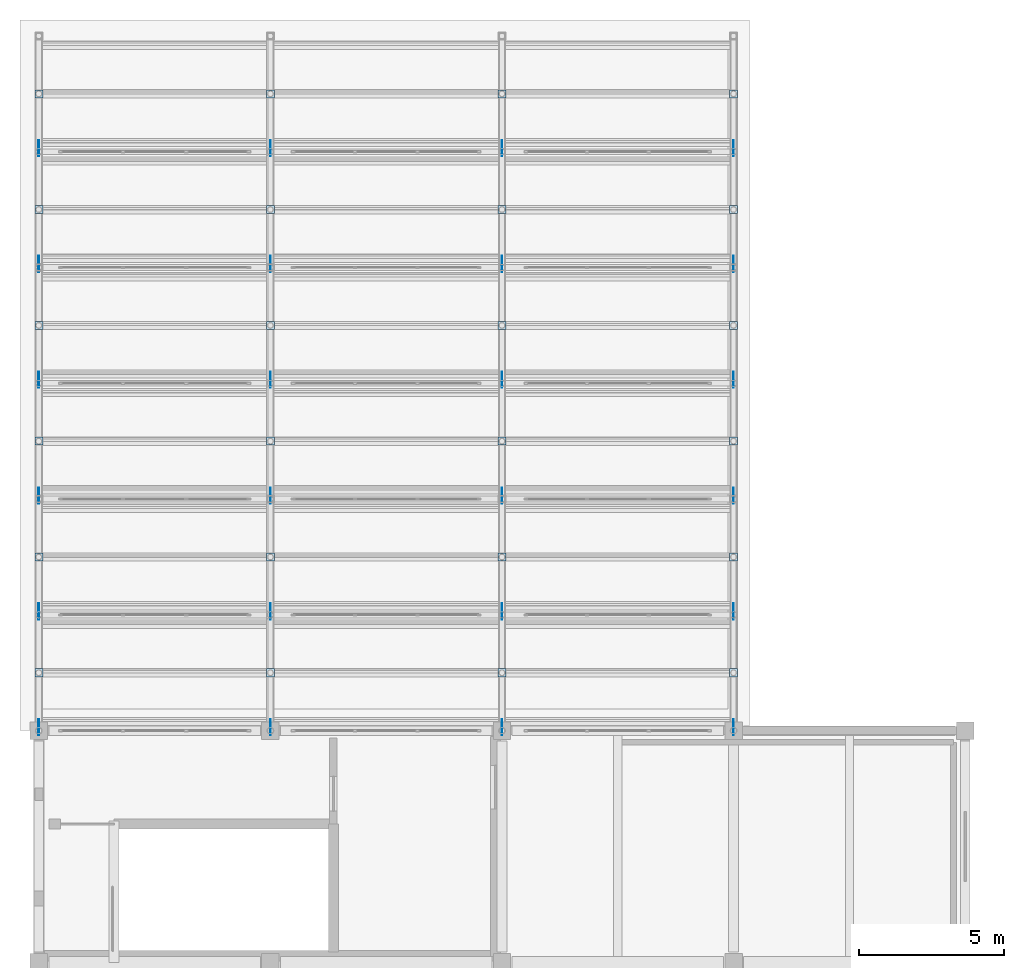
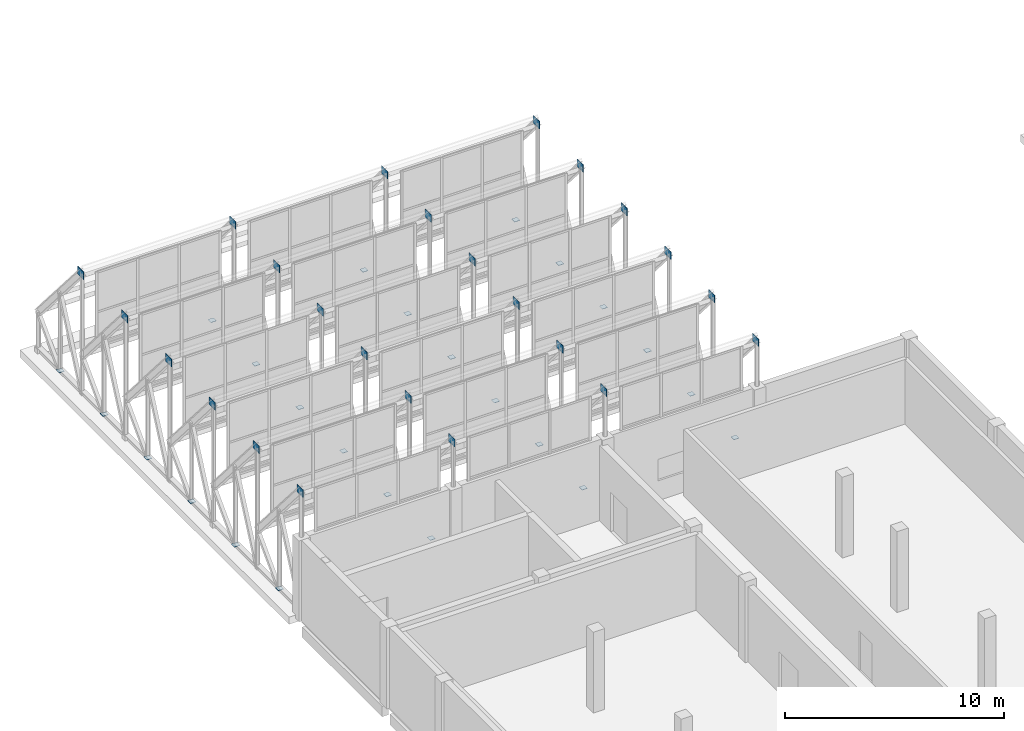
# One storey, part 34 of 43: 48 plates.
"""IFC4 building model written with IfcOpenShell, lengths in metres."""

from ifc_helpers import new_model, si_unit, direction, frame, origin, origin_2d, place, context, subcontext, project, spatial, rectangle, extrude, material, layer, layer_set, type_object, element, save


model = new_model("IFC4")

# Units and contexts
model_context = context("Model", 3, precision=1e-05, world=origin(), true_north=direction((0.0, 1.0)))
body_context = subcontext(model_context, "Body", "Model", "MODEL_VIEW")
ifc_project = project(units=[si_unit("LENGTHUNIT", "METRE"), si_unit("AREAUNIT", "SQUARE_METRE"), si_unit("VOLUMEUNIT", "CUBIC_METRE"), si_unit("PLANEANGLEUNIT", "RADIAN"), si_unit("MASSUNIT", "GRAM", prefix="KILO")], contexts=[model_context])

# Site, building, storey
site_placement = place(None, origin())
site = spatial("IfcSite", under=ifc_project, at=site_placement, CompositionType="ELEMENT")
building_placement = place(site_placement, origin())
building = spatial("IfcBuilding", under=site, at=building_placement, Name="Qorikala Patio Media Centre", CompositionType="ELEMENT")
storey_placement = place(building_placement, frame((0.0, 0.0, 18.89990234375)))
storey = spatial("IfcBuildingStorey", under=building, at=storey_placement, Name="L04", CompositionType="ELEMENT", Elevation=18.89990234375)

# Plates
ifc_material_1 = material(Name="Steel S355", Category="steel")
ifc_layer_1 = layer(ifc_material_1, 0.02392578125)
ifc_layer_set_1 = layer_set([ifc_layer_1], Name="Steel S355")
plate_type_1 = type_object("IfcPlateType", Name="PL-ND-01", PredefinedType="USERDEFINED", material=ifc_layer_set_1)
for number, where, z_axis, x_axis, name in (
    (1, (3.0, 84.1201171875, 6.740234375), (0.0, 0.0, 1.0), (1.0, 0.0, 0.0), "SAW-V4 Node Gusset Plate ND-01"),
    (2, (11.0, 76.1201171875, 6.740234375), (0.0, 0.0, 1.0), (1.0, 0.0, 0.0), "SAW-V4 Node Gusset Plate ND-01"),
    (3, (11.0, 92.1201171875, 6.740234375), (0.0, 0.0, 1.0), (1.0, 0.0, 0.0), "SAW-V4 Node Gusset Plate ND-01"),
    (4, (19.0, 84.1201171875, 6.740234375), (0.0, 0.0, 1.0), (1.0, 0.0, 0.0), "SAW-V4 Node Gusset Plate ND-01"),
    (5, (27.0, 76.1201171875, 6.740234375), (0.0, 0.0, 1.0), (1.0, 0.0, 0.0), "SAW-V4 Node Gusset Plate ND-01"),
    (6, (27.0, 92.1201171875, 6.740234375), (0.0, 0.0, 1.0), (1.0, 0.0, 0.0), "SAW-V4 Node Gusset Plate ND-01"),
):
    element("IfcPlate", number, at=place(storey_placement, frame(where, z_axis=z_axis, x_axis=x_axis)), inside=storey, type_object=plate_type_1, Name=name, ObjectType="GUSSET PLATE", PredefinedType="USERDEFINED", context=body_context, shape_type="SweptSolid", body=[
        extrude(rectangle(XDim=0.02392578125, YDim=0.56005859375, at=origin_2d()), origin(), (0.0, 0.0, 1.0), 0.419921875),
    ])
ifc_layer_2 = layer(ifc_material_1, 0.02392578125)
ifc_layer_set_2 = layer_set([ifc_layer_2], Name="Steel S355")
plate_type_2 = type_object("IfcPlateType", Name="PL-ND-02", PredefinedType="USERDEFINED", material=ifc_layer_set_2)
for number, where, z_axis, x_axis, name in (
    (7, (3.0, 72.1201171875, 6.740234375), (0.0, 0.0, 1.0), (1.0, 0.0, 0.0), "SAW-V4 Node Gusset Plate ND-02"),
    (8, (3.0, 88.1201171875, 6.740234375), (0.0, 0.0, 1.0), (1.0, 0.0, 0.0), "SAW-V4 Node Gusset Plate ND-02"),
    (9, (11.0, 80.1201171875, 6.740234375), (0.0, 0.0, 1.0), (1.0, 0.0, 0.0), "SAW-V4 Node Gusset Plate ND-02"),
    (10, (19.0, 72.1201171875, 6.740234375), (0.0, 0.0, 1.0), (1.0, 0.0, 0.0), "SAW-V4 Node Gusset Plate ND-02"),
    (11, (19.0, 88.1201171875, 6.740234375), (0.0, 0.0, 1.0), (1.0, 0.0, 0.0), "SAW-V4 Node Gusset Plate ND-02"),
    (12, (27.0, 80.1201171875, 6.740234375), (0.0, 0.0, 1.0), (1.0, 0.0, 0.0), "SAW-V4 Node Gusset Plate ND-02"),
):
    element("IfcPlate", number, at=place(storey_placement, frame(where, z_axis=z_axis, x_axis=x_axis)), inside=storey, type_object=plate_type_2, Name=name, ObjectType="GUSSET PLATE", PredefinedType="USERDEFINED", context=body_context, shape_type="SweptSolid", body=[
        extrude(rectangle(XDim=0.02392578125, YDim=0.56005859375, at=origin_2d()), origin(), (0.0, 0.0, 1.0), 0.419921875),
    ])
ifc_layer_3 = layer(ifc_material_1, 0.02001953125)
ifc_layer_set_3 = layer_set([ifc_layer_3], Name="Steel S355")
plate_type_3 = type_object("IfcPlateType", Name="PL-ND-03", PredefinedType="USERDEFINED", material=ifc_layer_set_3)
for number, where, z_axis, x_axis, name in (
    (13, (3.0, 76.1201171875, 6.740234375), (0.0, 0.0, 1.0), (1.0, 0.0, 0.0), "SAW-V4 Node Gusset Plate ND-03"),
    (14, (3.0, 92.1201171875, 6.740234375), (0.0, 0.0, 1.0), (1.0, 0.0, 0.0), "SAW-V4 Node Gusset Plate ND-03"),
    (15, (11.0, 84.1201171875, 6.740234375), (0.0, 0.0, 1.0), (1.0, 0.0, 0.0), "SAW-V4 Node Gusset Plate ND-03"),
    (16, (19.0, 76.1201171875, 6.740234375), (0.0, 0.0, 1.0), (1.0, 0.0, 0.0), "SAW-V4 Node Gusset Plate ND-03"),
    (17, (19.0, 92.1201171875, 6.740234375), (0.0, 0.0, 1.0), (1.0, 0.0, 0.0), "SAW-V4 Node Gusset Plate ND-03"),
    (18, (27.0, 84.1201171875, 6.740234375), (0.0, 0.0, 1.0), (1.0, 0.0, 0.0), "SAW-V4 Node Gusset Plate ND-03"),
):
    element("IfcPlate", number, at=place(storey_placement, frame(where, z_axis=z_axis, x_axis=x_axis)), inside=storey, type_object=plate_type_3, Name=name, ObjectType="GUSSET PLATE", PredefinedType="USERDEFINED", context=body_context, shape_type="SweptSolid", body=[
        extrude(rectangle(XDim=0.02392578125, YDim=0.56005859375, at=origin_2d()), origin(), (0.0, 0.0, 1.0), 0.419921875),
    ])
ifc_layer_4 = layer(ifc_material_1, 0.02001953125)
ifc_layer_set_4 = layer_set([ifc_layer_4], Name="Steel S355")
plate_type_4 = type_object("IfcPlateType", Name="PL-ND-04", PredefinedType="USERDEFINED", material=ifc_layer_set_4)
for number, where, z_axis, x_axis, name in (
    (19, (3.0, 80.1201171875, 6.740234375), (0.0, 0.0, 1.0), (1.0, 0.0, 0.0), "SAW-V4 Node Gusset Plate ND-04"),
    (20, (11.0, 72.1201171875, 6.740234375), (0.0, 0.0, 1.0), (1.0, 0.0, 0.0), "SAW-V4 Node Gusset Plate ND-04"),
    (21, (11.0, 88.1201171875, 6.740234375), (0.0, 0.0, 1.0), (1.0, 0.0, 0.0), "SAW-V4 Node Gusset Plate ND-04"),
    (22, (19.0, 80.1201171875, 6.740234375), (0.0, 0.0, 1.0), (1.0, 0.0, 0.0), "SAW-V4 Node Gusset Plate ND-04"),
    (23, (27.0, 72.1201171875, 6.740234375), (0.0, 0.0, 1.0), (1.0, 0.0, 0.0), "SAW-V4 Node Gusset Plate ND-04"),
    (24, (27.0, 88.1201171875, 6.740234375), (0.0, 0.0, 1.0), (1.0, 0.0, 0.0), "SAW-V4 Node Gusset Plate ND-04"),
):
    element("IfcPlate", number, at=place(storey_placement, frame(where, z_axis=z_axis, x_axis=x_axis)), inside=storey, type_object=plate_type_4, Name=name, ObjectType="GUSSET PLATE", PredefinedType="USERDEFINED", context=body_context, shape_type="SweptSolid", body=[
        extrude(rectangle(XDim=0.02392578125, YDim=0.56005859375, at=origin_2d()), origin(), (0.0, 0.0, 1.0), 0.419921875),
    ])
ifc_layer_5 = layer(ifc_material_1, 0.01611328125)
ifc_layer_set_5 = layer_set([ifc_layer_5], Name="Steel S355")
plate_type_5 = type_object("IfcPlateType", Name="PL-ND-05", PredefinedType="SHEET", material=ifc_layer_set_5)
for number, where, z_axis, x_axis, name in (
    (25, (3.0, 86.0, 0.362060546875), (0.0, 0.0, 1.0), (1.0, 0.0, 0.0), "SAW-V4 Hollow Strut End Cap Plate ND-05"),
    (26, (11.0, 78.0, 0.362060546875), (0.0, 0.0, 1.0), (1.0, 0.0, 0.0), "SAW-V4 Hollow Strut End Cap Plate ND-05"),
    (27, (11.0, 94.0, 0.362060546875), (0.0, 0.0, 1.0), (1.0, 0.0, 0.0), "SAW-V4 Hollow Strut End Cap Plate ND-05"),
    (28, (19.0, 86.0, 0.362060546875), (0.0, 0.0, 1.0), (1.0, 0.0, 0.0), "SAW-V4 Hollow Strut End Cap Plate ND-05"),
    (29, (27.0, 78.0, 0.362060546875), (0.0, 0.0, 1.0), (1.0, 0.0, 0.0), "SAW-V4 Hollow Strut End Cap Plate ND-05"),
    (30, (27.0, 94.0, 0.362060546875), (0.0, 0.0, 1.0), (1.0, 0.0, 0.0), "SAW-V4 Hollow Strut End Cap Plate ND-05"),
):
    element("IfcPlate", number, at=place(storey_placement, frame(where, z_axis=z_axis, x_axis=x_axis)), inside=storey, type_object=plate_type_5, Name=name, PredefinedType="SHEET", context=body_context, shape_type="SweptSolid", body=[
        extrude(rectangle(XDim=0.280029296875, YDim=0.280029296875, at=origin_2d()), origin(), (0.0, 0.0, 1.0), 0.01611328125),
    ])
ifc_material_2 = material(Name="Golden Bronze Coated Steel S355", Category="steel")
ifc_layer_6 = layer(ifc_material_2, 0.01611328125)
ifc_layer_set_6 = layer_set([ifc_layer_6], Name="Golden Bronze Coated Steel S355")
plate_type_6 = type_object("IfcPlateType", Name="PL-ND-06", PredefinedType="SHEET", material=ifc_layer_set_6)
for number, where, z_axis, x_axis, name in (
    (31, (3.0, 74.0, 0.362060546875), (0.0, 0.0, 1.0), (1.0, 0.0, 0.0), "SAW-V4 Hollow Strut End Cap Plate ND-06"),
    (32, (3.0, 90.0, 0.362060546875), (0.0, 0.0, 1.0), (1.0, 0.0, 0.0), "SAW-V4 Hollow Strut End Cap Plate ND-06"),
    (33, (11.0, 82.0, 0.362060546875), (0.0, 0.0, 1.0), (1.0, 0.0, 0.0), "SAW-V4 Hollow Strut End Cap Plate ND-06"),
    (34, (19.0, 74.0, 0.362060546875), (0.0, 0.0, 1.0), (1.0, 0.0, 0.0), "SAW-V4 Hollow Strut End Cap Plate ND-06"),
    (35, (19.0, 90.0, 0.362060546875), (0.0, 0.0, 1.0), (1.0, 0.0, 0.0), "SAW-V4 Hollow Strut End Cap Plate ND-06"),
    (36, (27.0, 82.0, 0.362060546875), (0.0, 0.0, 1.0), (1.0, 0.0, 0.0), "SAW-V4 Hollow Strut End Cap Plate ND-06"),
):
    element("IfcPlate", number, at=place(storey_placement, frame(where, z_axis=z_axis, x_axis=x_axis)), inside=storey, type_object=plate_type_6, Name=name, PredefinedType="SHEET", context=body_context, shape_type="SweptSolid", body=[
        extrude(rectangle(XDim=0.280029296875, YDim=0.280029296875, at=origin_2d()), origin(), (0.0, 0.0, 1.0), 0.01611328125),
    ])
ifc_layer_7 = layer(ifc_material_1, 0.013916015625)
ifc_layer_set_7 = layer_set([ifc_layer_7], Name="Steel S355")
plate_type_7 = type_object("IfcPlateType", Name="PL-ND-07", PredefinedType="SHEET", material=ifc_layer_set_7)
for number, where, z_axis, x_axis, name in (
    (37, (3.0, 78.0, 0.362060546875), (0.0, 0.0, 1.0), (1.0, 0.0, 0.0), "SAW-V4 Hollow Strut End Cap Plate ND-07"),
    (38, (3.0, 94.0, 0.362060546875), (0.0, 0.0, 1.0), (1.0, 0.0, 0.0), "SAW-V4 Hollow Strut End Cap Plate ND-07"),
    (39, (11.0, 86.0, 0.362060546875), (0.0, 0.0, 1.0), (1.0, 0.0, 0.0), "SAW-V4 Hollow Strut End Cap Plate ND-07"),
    (40, (19.0, 78.0, 0.362060546875), (0.0, 0.0, 1.0), (1.0, 0.0, 0.0), "SAW-V4 Hollow Strut End Cap Plate ND-07"),
    (41, (19.0, 94.0, 0.362060546875), (0.0, 0.0, 1.0), (1.0, 0.0, 0.0), "SAW-V4 Hollow Strut End Cap Plate ND-07"),
    (42, (27.0, 86.0, 0.362060546875), (0.0, 0.0, 1.0), (1.0, 0.0, 0.0), "SAW-V4 Hollow Strut End Cap Plate ND-07"),
):
    element("IfcPlate", number, at=place(storey_placement, frame(where, z_axis=z_axis, x_axis=x_axis)), inside=storey, type_object=plate_type_7, Name=name, PredefinedType="SHEET", context=body_context, shape_type="SweptSolid", body=[
        extrude(rectangle(XDim=0.280029296875, YDim=0.280029296875, at=origin_2d()), origin(), (0.0, 0.0, 1.0), 0.01611328125),
    ])
ifc_layer_8 = layer(ifc_material_1, 0.011962890625)
ifc_layer_set_8 = layer_set([ifc_layer_8], Name="Steel S355")
plate_type_8 = type_object("IfcPlateType", Name="PL-ND-08", PredefinedType="SHEET", material=ifc_layer_set_8)
for number, where, z_axis, x_axis, name in (
    (43, (3.0, 82.0, 0.362060546875), (0.0, 0.0, 1.0), (1.0, 0.0, 0.0), "SAW-V4 Hollow Strut End Cap Plate ND-08"),
    (44, (11.0, 74.0, 0.362060546875), (0.0, 0.0, 1.0), (1.0, 0.0, 0.0), "SAW-V4 Hollow Strut End Cap Plate ND-08"),
    (45, (11.0, 90.0, 0.362060546875), (0.0, 0.0, 1.0), (1.0, 0.0, 0.0), "SAW-V4 Hollow Strut End Cap Plate ND-08"),
    (46, (19.0, 82.0, 0.362060546875), (0.0, 0.0, 1.0), (1.0, 0.0, 0.0), "SAW-V4 Hollow Strut End Cap Plate ND-08"),
    (47, (27.0, 74.0, 0.362060546875), (0.0, 0.0, 1.0), (1.0, 0.0, 0.0), "SAW-V4 Hollow Strut End Cap Plate ND-08"),
    (48, (27.0, 90.0, 0.362060546875), (0.0, 0.0, 1.0), (1.0, 0.0, 0.0), "SAW-V4 Hollow Strut End Cap Plate ND-08"),
):
    element("IfcPlate", number, at=place(storey_placement, frame(where, z_axis=z_axis, x_axis=x_axis)), inside=storey, type_object=plate_type_8, Name=name, PredefinedType="SHEET", context=body_context, shape_type="SweptSolid", body=[
        extrude(rectangle(XDim=0.280029296875, YDim=0.280029296875, at=origin_2d()), origin(), (0.0, 0.0, 1.0), 0.01611328125),
    ])

save(model, "model.ifc")
